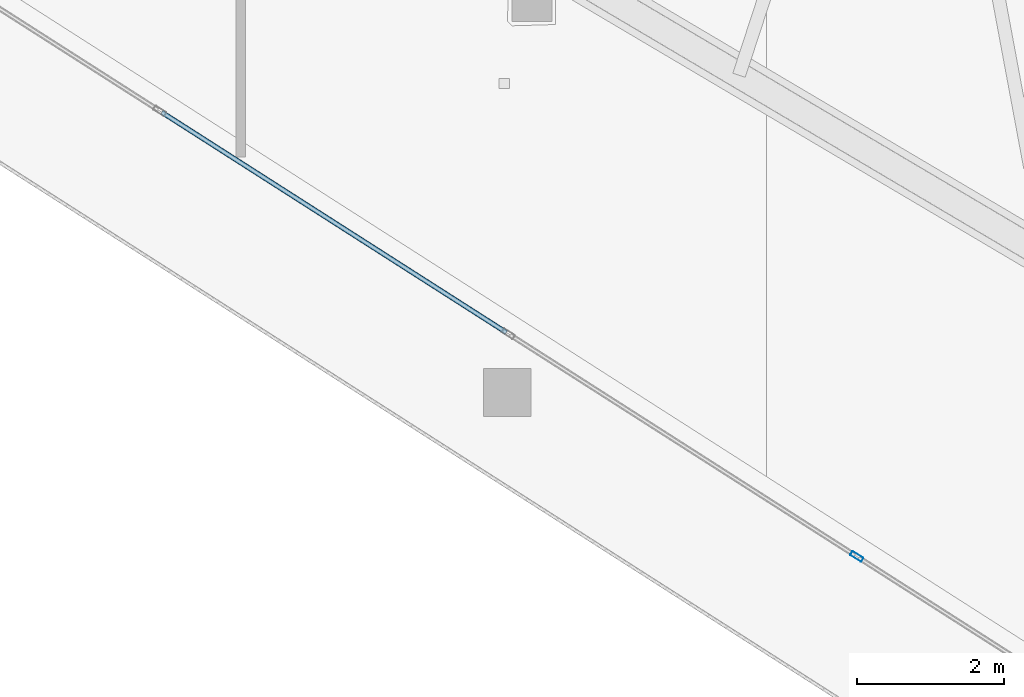
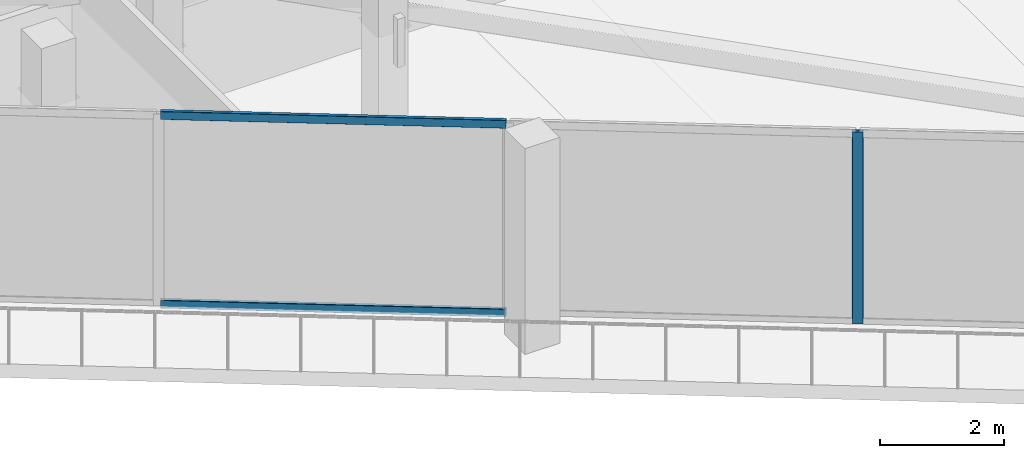
# One storey, part 2 of 39: 3 members, 1 element without a shape of its own.
"""IFC4 building model written with IfcOpenShell, lengths in metres."""

from ifc_helpers import new_model, si_unit, direction, frame, origin, origin_2d, place, context, subcontext, project, spatial, hollow_rectangle, extrude, material, layer, layer_set, material_profile, profile_set, type_object, element, aggregate, save


model = new_model("IFC4")

# Units and contexts
model_context = context("Model", 3, precision=1e-05, world=origin(), true_north=direction((0.0, 1.0)))
body_context = subcontext(model_context, "Body", "Model", "MODEL_VIEW")
ifc_project = project(units=[si_unit("LENGTHUNIT", "METRE"), si_unit("AREAUNIT", "SQUARE_METRE"), si_unit("VOLUMEUNIT", "CUBIC_METRE"), si_unit("PLANEANGLEUNIT", "RADIAN"), si_unit("MASSUNIT", "GRAM", prefix="KILO")], contexts=[model_context])

# Site, building, storey
site_placement = place(None, origin())
site = spatial("IfcSite", under=ifc_project, at=site_placement, CompositionType="ELEMENT")
building_placement = place(site_placement, origin())
building = spatial("IfcBuilding", under=site, at=building_placement, Name="Qorvath Tower", CompositionType="ELEMENT")
storey_placement = place(building_placement, frame((0.0, 0.0, 201.0)))
storey = spatial("IfcBuildingStorey", under=building, at=storey_placement, Name="L46", CompositionType="ELEMENT", Elevation=201.0)

# Curtain wall, members
ifc_material_1 = material(Name="Anodised aluminium and triple low-E glass", Category="aluminium")
ifc_layer = layer(ifc_material_1, 0.179931640625)
ifc_layer_set = layer_set([ifc_layer], Name="CW-SYS-3")
curtain_wall_type = type_object("IfcCurtainWallType", Name="CW-SYS-3", PredefinedType="NOTDEFINED", material=ifc_layer_set)
curtain_wall_placement = place(storey_placement, origin())
curtain_wall = element("IfcCurtainWall", 1, at=curtain_wall_placement, inside=storey, type_object=curtain_wall_type, Name="Curtain Wall CW-3 CW-T-L46-2.1", PredefinedType="NOTDEFINED")
ifc_material_2 = material(Name="Anodised aluminium 6063-T6", Category="aluminium")
ifc_material_profile_1 = material_profile(ifc_material_2, hollow_rectangle(XDim=0.06494140625, YDim=0.179931640625, WallThickness=0.00341796875, InnerFilletRadius=0.00341796875, OuterFilletRadius=0.007080078125, at=origin_2d()), Name="CWM 180x65")
ifc_profile_set_1 = profile_set([ifc_material_profile_1], Name="Anodised aluminium 6063-T6")
member_type_1 = type_object("IfcMemberType", Name="CWM-180", PredefinedType="MULLION", material=ifc_profile_set_1)
member_1_placement = place(storey_placement, frame((-26.247802734375, -21.696044921875, 0.0), z_axis=(0.0, 0.0, 1.0), x_axis=(0.538533623725, 0.842604020948, 0.0)))
member_1 = element("IfcMember", 2, at=member_1_placement, type_object=member_type_1, Name="CW-3 mullion 7", PredefinedType="MULLION", context=body_context, shape_type="SweptSolid", body=[
    extrude(hollow_rectangle(XDim=0.06494140625, YDim=0.179931640625, WallThickness=0.00341796875, InnerFilletRadius=0.00341796875, OuterFilletRadius=0.007080078125, at=origin_2d()), origin(), (0.0, 0.0, 1.0), 3.780029296875),
])
ifc_material_3 = material(Name="Anodised aluminium 6063-T6", Category="aluminium")
ifc_material_profile_2 = material_profile(ifc_material_3, hollow_rectangle(XDim=0.06494140625, YDim=0.159912109375, WallThickness=0.00341796875, InnerFilletRadius=0.00341796875, OuterFilletRadius=0.007080078125, at=origin_2d()), Name="CWT 160x65")
ifc_profile_set_2 = profile_set([ifc_material_profile_2], Name="Anodised aluminium 6063-T6")
member_type_2 = type_object("IfcMemberType", Name="CWT-160", PredefinedType="USERDEFINED", material=ifc_profile_set_2)
member_2_placement = place(storey_placement, frame((-35.725341796875, -15.638671875, 0.032470703125), z_axis=(0.842606844645, -0.538529205667, 0.0), x_axis=(0.538529205667, 0.842606844645, 0.0)))
member_2 = element("IfcMember", 3, at=member_2_placement, type_object=member_type_2, Name="CW-3 transom 5.1", ObjectType="TRANSOM", PredefinedType="USERDEFINED", context=body_context, shape_type="SweptSolid", body=[
    extrude(hollow_rectangle(XDim=0.06494140625, YDim=0.159912109375, WallThickness=0.00341796875, InnerFilletRadius=0.00341796875, OuterFilletRadius=0.007080078125, at=origin_2d()), origin(), (0.0, 0.0, 1.0), 5.5751953125),
])
member_3_placement = place(storey_placement, frame((-35.725341796875, -15.638671875, 3.74755859375), z_axis=(0.842606844645, -0.538529205667, 0.0), x_axis=(0.538529205667, 0.842606844645, 0.0)))
member_3 = element("IfcMember", 4, at=member_3_placement, type_object=member_type_2, Name="CW-3 transom 5.2", ObjectType="TRANSOM", PredefinedType="USERDEFINED", context=body_context, shape_type="SweptSolid", body=[
    extrude(hollow_rectangle(XDim=0.06494140625, YDim=0.159912109375, WallThickness=0.00341796875, InnerFilletRadius=0.00341796875, OuterFilletRadius=0.007080078125, at=origin_2d()), origin(), (0.0, 0.0, 1.0), 5.5751953125),
])
aggregate(curtain_wall, [member_1, member_2, member_3])

save(model, "model.ifc")
